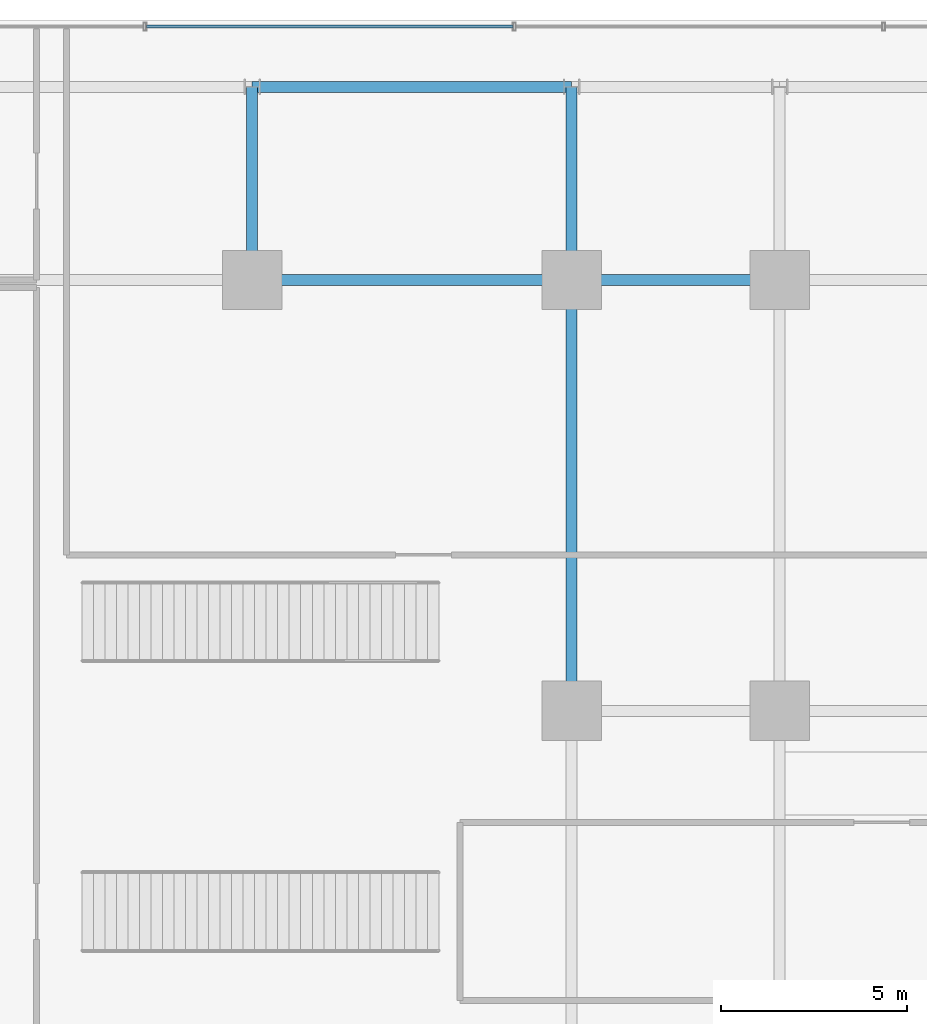
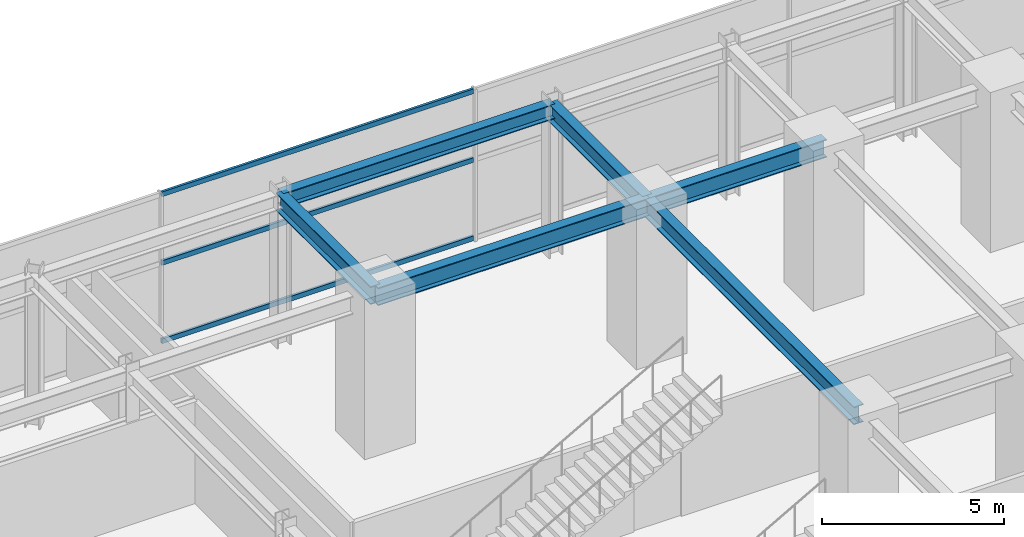
# One storey, part 15 of 34: 6 beams, 3 members, 1 element without a shape of its own.
"""IFC4 building model written with IfcOpenShell, lengths in metres."""

from ifc_helpers import new_model, si_unit, direction, frame, origin, origin_2d, place, context, subcontext, project, spatial, hollow_rectangle, i_section, extrude, source, transform, mapped, material, material_profile, profile_set, type_object, element, aggregate, save


model = new_model("IFC4")

# Units and contexts
model_context = context("Model", 3, precision=1e-05, world=origin(), true_north=direction((0.0, 1.0)))
body_context = subcontext(model_context, "Body", "Model", "MODEL_VIEW")
ifc_project = project(units=[si_unit("LENGTHUNIT", "METRE"), si_unit("AREAUNIT", "SQUARE_METRE"), si_unit("VOLUMEUNIT", "CUBIC_METRE"), si_unit("PLANEANGLEUNIT", "RADIAN"), si_unit("MASSUNIT", "GRAM", prefix="KILO")], contexts=[model_context])

# Site, building, storey
site_placement = place(None, origin())
site = spatial("IfcSite", under=ifc_project, at=site_placement, CompositionType="ELEMENT")
building_placement = place(site_placement, origin())
building = spatial("IfcBuilding", under=site, at=building_placement, Name="Nahalor Promenade Grand Hotel", CompositionType="ELEMENT")
storey_placement = place(building_placement, frame((0.0, 0.0, 16.199951171875)))
storey = spatial("IfcBuildingStorey", under=building, at=storey_placement, Name="L03", CompositionType="ELEMENT", Elevation=16.199951171875)

# Beams
ifc_material_1 = material(Name="Steel S355JR", Category="steel")
ifc_material_profile_1 = material_profile(ifc_material_1, i_section(OverallWidth=0.3, OverallDepth=0.6, WebThickness=0.0155, FlangeThickness=0.03, at=origin_2d()), Name="HEB 600")
ifc_profile_set_1 = profile_set([ifc_material_profile_1], Name="Steel S355JR")
beam_type_1 = type_object("IfcBeamType", Name="Beam-Girder-HEB600", PredefinedType="BEAM", material=ifc_profile_set_1)
shared_shape_1 = source(origin(), body_context, "Body", "SweptSolid", [
    extrude(i_section(OverallWidth=0.3, OverallDepth=0.6, WebThickness=0.0155, FlangeThickness=0.03, at=origin_2d()), origin(), (0.0, 0.0, 1.0), 8.60009765625),
])
beam_1_placement = place(storey_placement, frame((-17.0, 17.0, 4.780029296875), z_axis=(1.0, 0.0, 0.0), x_axis=(0.0, 1.0, 0.0)))
element("IfcBeam", 1, at=beam_1_placement, inside=storey, type_object=beam_type_1, Name="BM-L03-GX-3-2", PredefinedType="BEAM", context=body_context, shape_type="MappedRepresentation", body=[
    mapped(shared_shape_1, transform((0.0, 0.0, 0.0), scale=1.0)),
])
shared_shape_2 = source(origin(), body_context, "Body", "SweptSolid", [
    extrude(i_section(OverallWidth=0.3, OverallDepth=0.6, WebThickness=0.0155, FlangeThickness=0.03, at=origin_2d()), origin(), (0.0, 0.0, 1.0), 5.599853515625),
])
beam_2_placement = place(storey_placement, frame((-8.39990234375, 17.0, 4.780029296875), z_axis=(1.0, 0.0, 0.0), x_axis=(0.0, 1.0, 0.0)))
element("IfcBeam", 2, at=beam_2_placement, inside=storey, type_object=beam_type_1, Name="BM-L03-GX-3-3", PredefinedType="BEAM", context=body_context, shape_type="MappedRepresentation", body=[
    mapped(shared_shape_2, transform((0.0, 0.0, 0.0), scale=1.0)),
])
shared_shape_3 = source(origin(), body_context, "Body", "SweptSolid", [
    extrude(i_section(OverallWidth=0.3, OverallDepth=0.6, WebThickness=0.0155, FlangeThickness=0.03, at=origin_2d()), origin(), (0.0, 0.0, 1.0), 5.199951171875),
])
for number, where, z_axis, x_axis, name in (
    (3, (-17.0, 17.0, 4.780029296875), (0.0, 1.0, 0.0), (-1.0, 0.0, 0.0), "BM-L03-GY-0-4"),
    (4, (-8.39990234375, 17.0, 4.780029296875), (0.0, 1.0, 0.0), (-1.0, 0.0, 0.0), "BM-L03-GY-1-4"),
):
    element("IfcBeam", number, at=place(storey_placement, frame(where, z_axis=z_axis, x_axis=x_axis)), inside=storey, type_object=beam_type_1, Name=name, PredefinedType="BEAM", context=body_context, shape_type="MappedRepresentation", body=[
        mapped(shared_shape_3, transform((0.0, 0.0, 0.0), scale=1.0)),
    ])
shared_shape_4 = source(origin(), body_context, "Body", "SweptSolid", [
    extrude(i_section(OverallWidth=0.3, OverallDepth=0.6, WebThickness=0.0155, FlangeThickness=0.03, at=origin_2d()), origin(), (0.0, 0.0, 1.0), 11.60009765625),
])
beam_3_placement = place(storey_placement, frame((-8.39990234375, 5.39990234375, 4.780029296875), z_axis=(0.0, 1.0, 0.0), x_axis=(-1.0, 0.0, 0.0)))
element("IfcBeam", 5, at=beam_3_placement, inside=storey, type_object=beam_type_1, Name="BM-L03-GY-1-3", PredefinedType="BEAM", context=body_context, shape_type="MappedRepresentation", body=[
    mapped(shared_shape_4, transform((0.0, 0.0, 0.0), scale=1.0)),
])
ifc_material_profile_2 = material_profile(ifc_material_1, i_section(OverallWidth=0.3, OverallDepth=0.5, WebThickness=0.0145, FlangeThickness=0.028, at=origin_2d()), Name="HEB 500")
ifc_profile_set_2 = profile_set([ifc_material_profile_2], Name="Steel S355JR")
beam_type_2 = type_object("IfcBeamType", Name="Beam-Spandrel-HEB500", PredefinedType="SPANDREL", material=ifc_profile_set_2)
shared_shape_5 = source(origin(), body_context, "Body", "SweptSolid", [
    extrude(i_section(OverallWidth=0.3, OverallDepth=0.5, WebThickness=0.0145, FlangeThickness=0.028, at=origin_2d()), origin(), (0.0, 0.0, 1.0), 8.60009765625),
])
beam_4_placement = place(storey_placement, frame((-17.0, 22.199951171875, 4.830078125), z_axis=(1.0, 0.0, 0.0), x_axis=(0.0, 1.0, 0.0)))
element("IfcBeam", 6, at=beam_4_placement, inside=storey, type_object=beam_type_2, Name="BM-L03-SP-N-0", PredefinedType="SPANDREL", context=body_context, shape_type="MappedRepresentation", body=[
    mapped(shared_shape_5, transform((0.0, 0.0, 0.0), scale=1.0)),
])

# Curtain wall, members
ifc_material_2 = material(Name="Anodised Bronze Aluminium EN AW-6063 T6", Category="aluminium")
curtain_wall_type = type_object("IfcCurtainWallType", Name="CW1 Waterfront Podium Bronze Arcade Curtain Wall", PredefinedType="USERDEFINED", material=ifc_material_2)
curtain_wall_placement = place(storey_placement, origin())
curtain_wall = element("IfcCurtainWall", 7, at=curtain_wall_placement, inside=storey, type_object=curtain_wall_type, Name="L03 Curtain Wall CW-L03-N", ObjectType="UNITISED_CURTAIN_WALL", PredefinedType="USERDEFINED")
ifc_material_profile_3 = material_profile(ifc_material_2, hollow_rectangle(XDim=0.08, YDim=0.16, WallThickness=0.004, at=origin_2d()), Name="CWT 80x160x4")
ifc_profile_set_3 = profile_set([ifc_material_profile_3], Name="Anodised Bronze Aluminium EN AW-6063 T6")
member_type = type_object("IfcMemberType", Name="CWT1 Podium Bronze Transom 80x160", PredefinedType="USERDEFINED", material=ifc_profile_set_3)
shared_shape_6 = source(origin(), body_context, "Body", "SweptSolid", [
    extrude(hollow_rectangle(XDim=0.08, YDim=0.16, WallThickness=0.004, at=origin_2d()), origin(), (0.0, 0.0, 1.0), 9.860107421875),
])
member_1_placement = place(storey_placement, frame((-19.840087890625, 23.820068359375, 0.080078125), z_axis=(1.0, 0.0, 0.0), x_axis=(0.0, 1.0, 0.0)))
member_1 = element("IfcMember", 8, at=member_1_placement, type_object=member_type, Name="CW-L03-N Transom 1-0", ObjectType="TRANSOM", PredefinedType="USERDEFINED", context=body_context, shape_type="MappedRepresentation", body=[
    mapped(shared_shape_6, transform((0.0, 0.0, 0.0), scale=1.0)),
])
member_2_placement = place(storey_placement, frame((-19.840087890625, 23.820068359375, 2.699951171875), z_axis=(1.0, 0.0, 0.0), x_axis=(0.0, 1.0, 0.0)))
member_2 = element("IfcMember", 9, at=member_2_placement, type_object=member_type, Name="CW-L03-N Transom 1-1", ObjectType="TRANSOM", PredefinedType="USERDEFINED", context=body_context, shape_type="MappedRepresentation", body=[
    mapped(shared_shape_6, transform((0.0, 0.0, 0.0), scale=1.0)),
])
member_3_placement = place(storey_placement, frame((-19.840087890625, 23.820068359375, 5.0), z_axis=(1.0, 0.0, 0.0), x_axis=(0.0, 1.0, 0.0)))
member_3 = element("IfcMember", 10, at=member_3_placement, type_object=member_type, Name="CW-L03-N Transom 1-2", ObjectType="TRANSOM", PredefinedType="USERDEFINED", context=body_context, shape_type="MappedRepresentation", body=[
    mapped(shared_shape_6, transform((0.0, 0.0, 0.0), scale=1.0)),
])
aggregate(curtain_wall, [member_1, member_2, member_3])

save(model, "model.ifc")
